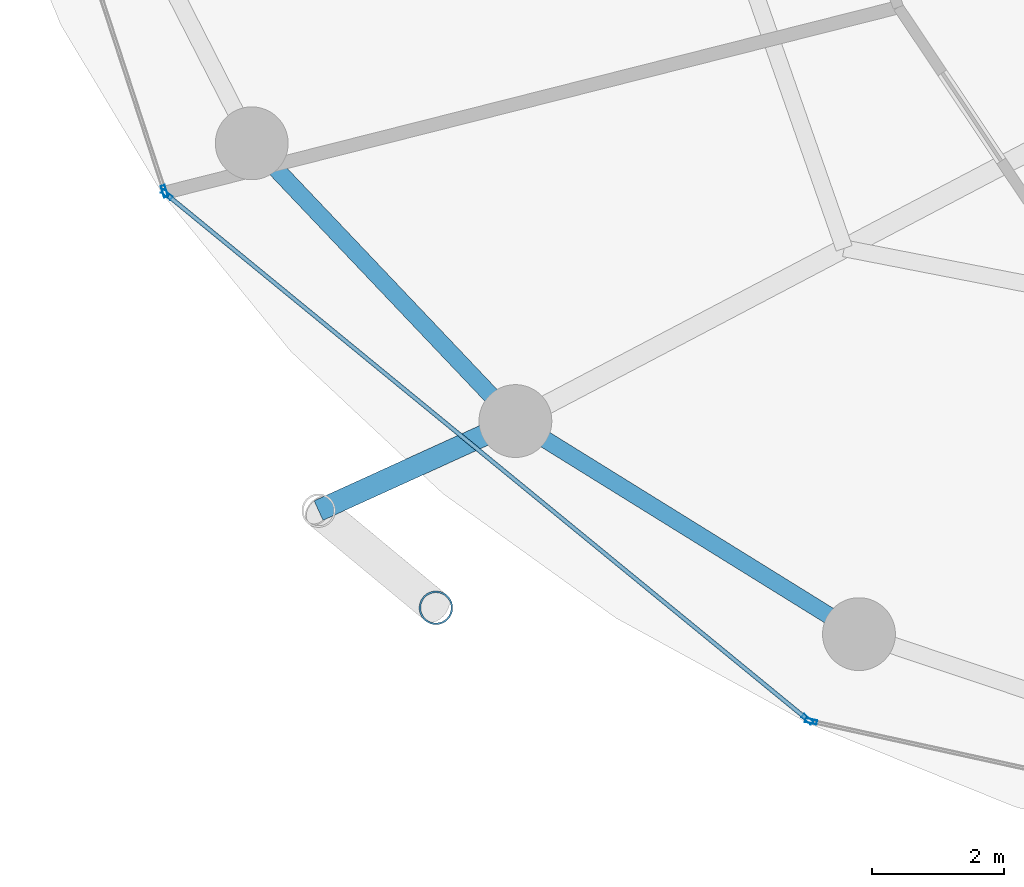
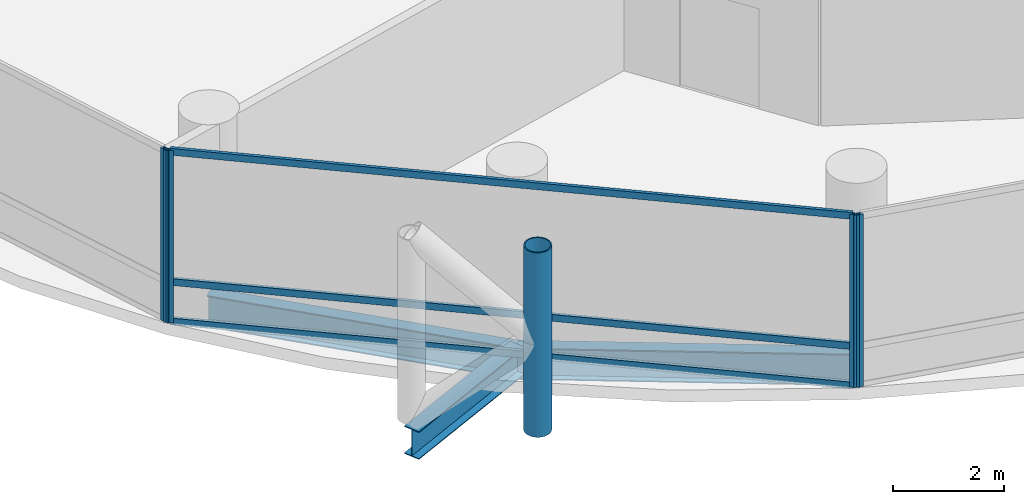
# One storey, part 2 of 24: 8 members, 3 beams, 3 elements without a shape of their own.
"""IFC4 building model written with IfcOpenShell, lengths in metres."""

import ifcopenshell
import ifcopenshell.guid

model = None  # the IFC model being written
_history = None  # IfcOwnerHistory: only IFC2X3 demands one
_inside = {}  # id of a spatial element -> (the spatial element, [elements in it])
_under = {}  # id of a project, library or spatial element -> (it, [spatial elements below it])
_declared = {}  # id of a project -> (the project, [libraries it declares])
_typed = {}  # id of a type object -> (the type object, [elements of that type])
_made_of = {}  # id of a material, layer set ... -> (it, [elements and type objects made of it])


def new_model(schema):
    """Start an empty IFC model of exactly this schema.

    Asked for "IFC4X3", IfcOpenShell would pick the latest addendum, in which some entities
    have other attributes; the version numbers below select the first issue.
    IFC2X3 requires an IfcOwnerHistory on every rooted entity: one is made here for all.
    """
    global model, _history
    if schema == "IFC4X3":
        model = ifcopenshell.file(schema_version=(4, 3, 0, 0))
    else:
        model = ifcopenshell.file(schema=schema)
    _inside.clear()
    _under.clear()
    _declared.clear()
    _typed.clear()
    _made_of.clear()
    _history = None
    if model.schema == "IFC2X3":
        org = make("IfcOrganization", Name="unknown")
        user = make(
            "IfcPersonAndOrganization",
            ThePerson=make("IfcPerson", FamilyName="unknown"),
            TheOrganization=org,
        )
        app = make(
            "IfcApplication",
            ApplicationDeveloper=org,
            Version="unknown",
            ApplicationFullName="unknown",
            ApplicationIdentifier="unknown",
        )
        _history = make(
            "IfcOwnerHistory",
            OwningUser=user,
            OwningApplication=app,
            ChangeAction="ADDED",
            CreationDate=0,
        )
    return model


def make(cls, **values):
    """One entity of the class cls with the attributes given. An attribute that is None is left unset."""
    return model.create_entity(
        cls, **{name: value for name, value in values.items() if value is not None}
    )


def rooted(cls, **values):
    """An entity with a GlobalId (a new one), such as an element, a storey or a relation."""
    return make(cls, GlobalId=ifcopenshell.guid.new(), OwnerHistory=_history, **values)


def si_unit(unit_type, name, prefix=None):
    """IfcSIUnit, for example si_unit("LENGTHUNIT", "METRE", prefix="MILLI")."""
    return make("IfcSIUnit", UnitType=unit_type, Prefix=prefix, Name=name)


def assignment(units):
    """IfcUnitAssignment: the units of a project."""
    return None if units is None else make("IfcUnitAssignment", Units=units)


def point(xyz):
    """IfcCartesianPoint."""
    return None if xyz is None else make("IfcCartesianPoint", Coordinates=xyz)


def direction(xyz):
    """IfcDirection."""
    return None if xyz is None else make("IfcDirection", DirectionRatios=xyz)


def frame(location, z_axis=None, x_axis=None):
    """IfcAxis2Placement3D, a coordinate frame: its origin and axes. An axis left out is left unset."""
    return make(
        "IfcAxis2Placement3D",
        Location=point(location),
        Axis=direction(z_axis),
        RefDirection=direction(x_axis),
    )


def frame_2d(location, x_axis=None):
    """IfcAxis2Placement2D, a coordinate frame in the plane: its origin and x axis."""
    return make(
        "IfcAxis2Placement2D", Location=point(location), RefDirection=direction(x_axis)
    )


def origin():
    """The frame at (0, 0, 0) with its axes left unset."""
    return frame((0.0, 0.0, 0.0))


def origin_2d():
    """The frame at (0, 0) in the plane with its x axis left unset."""
    return frame_2d((0.0, 0.0))


def place(relative_to, where):
    """IfcLocalPlacement: puts the frame where relative to a parent placement (None: the world)."""
    return make(
        "IfcLocalPlacement", PlacementRelTo=relative_to, RelativePlacement=where
    )


def context(
    kind, dimensions, precision=None, world=None, true_north=None, identifier=None
):
    """IfcGeometricRepresentationContext, for example the 3D "Model" context."""
    return make(
        "IfcGeometricRepresentationContext",
        ContextIdentifier=identifier,
        ContextType=kind,
        CoordinateSpaceDimension=dimensions,
        Precision=precision,
        WorldCoordinateSystem=world,
        TrueNorth=true_north,
    )


def subcontext(parent, identifier, kind, view, scale=None):
    """IfcGeometricRepresentationSubContext, for example "Body" below "Model"."""
    return make(
        "IfcGeometricRepresentationSubContext",
        ContextIdentifier=identifier,
        ContextType=kind,
        ParentContext=parent,
        TargetScale=scale,
        TargetView=view,
    )


def project(units=None, contexts=None):
    """IfcProject with its units and contexts."""
    return rooted(
        "IfcProject",
        Name="project",
        RepresentationContexts=contexts,
        UnitsInContext=assignment(units),
    )


def spatial(cls, under=None, at=None, **own):
    """A site, building, storey or space (cls), placed at a placement, below another one or the project."""
    s = rooted(cls, ObjectPlacement=at, **own)
    if under is not None:
        _under.setdefault(under.id(), (under, []))[1].append(s)
    return s


def profile(cls, at=None, kind="AREA", **sizes):
    """A parametric profile (cls). Its sizes go by their IFC names, for example OverallWidth=200.0."""
    return make(cls, ProfileType=kind, Position=at, **sizes)


def hollow_rectangle(**sizes):
    """IfcRectangleHollowProfileDef."""
    return profile("IfcRectangleHollowProfileDef", **sizes)


def hollow_circle(**sizes):
    """IfcCircleHollowProfileDef."""
    return profile("IfcCircleHollowProfileDef", **sizes)


def i_section(**sizes):
    """IfcIShapeProfileDef."""
    return profile("IfcIShapeProfileDef", **sizes)


def extrude(swept, where, along, depth):
    """IfcExtrudedAreaSolid: the profile swept, set in the frame where, extruded along a direction by depth."""
    return make(
        "IfcExtrudedAreaSolid",
        SweptArea=swept,
        Position=where,
        ExtrudedDirection=direction(along),
        Depth=depth,
    )


def shape(context_of_items, identifier, shape_type, items):
    """IfcShapeRepresentation: the items that make up one representation, for example the "Body"."""
    return make(
        "IfcShapeRepresentation",
        ContextOfItems=context_of_items,
        RepresentationIdentifier=identifier,
        RepresentationType=shape_type,
        Items=items,
    )


def material(Name=None, Category=None):
    """IfcMaterial."""
    return make("IfcMaterial", Name=Name, Category=Category)


def layer(
    of_material, thickness, ventilated=None, Name=None, Category=None, Priority=None
):
    """IfcMaterialLayer: one layer of a wall or slab, of a material (None: an air gap)."""
    return make(
        "IfcMaterialLayer",
        Material=of_material,
        LayerThickness=thickness,
        IsVentilated=ventilated,
        Name=Name,
        Category=Category,
        Priority=Priority,
    )


def layer_set(layers, Name=None):
    """IfcMaterialLayerSet."""
    return make("IfcMaterialLayerSet", MaterialLayers=layers, LayerSetName=Name)


def material_profile(
    of_material, cross_section, Name=None, Category=None, Priority=None
):
    """IfcMaterialProfile: a cross section and its material."""
    return make(
        "IfcMaterialProfile",
        Name=Name,
        Material=of_material,
        Profile=cross_section,
        Priority=Priority,
        Category=Category,
    )


def profile_set(profiles, Name=None, composite=None):
    """IfcMaterialProfileSet."""
    return make(
        "IfcMaterialProfileSet",
        Name=Name,
        MaterialProfiles=profiles,
        CompositeProfile=composite,
    )


def made_of(thing, what):
    """Note that an element or type object is made of a material, layer set ...; save() writes the relation."""
    if what is not None:
        _made_of.setdefault(what.id(), (what, []))[1].append(thing)
    return thing


def type_object(cls, material=None, **own):
    """A type object (cls), such as IfcWallType, which elements share."""
    return made_of(rooted(cls, **own), material)


def element(
    cls,
    number,
    at=None,
    inside=None,
    cuts=None,
    type_object=None,
    material=None,
    context=None,
    identifier="Body",
    shape_type=None,
    held_by="IfcProductDefinitionShape",
    body=None,
    shapes=None,
    **own,
):
    """One element of the class cls, such as IfcWall. Its Tag is "e" and its number.

    at: its placement. inside: the storey or other place that contains it. cuts: it is an
    opening in that element (IfcRelVoidsElement). A single representation is given by context,
    identifier, shape_type and body (its items); several are given by shapes. held_by: the class
    of the entity that holds the representations. save() writes the other relations.
    """
    e = rooted(cls, Tag="e%d" % number, ObjectPlacement=at, **own)
    if body is not None:
        shapes = [shape(context, identifier, shape_type, body)]
    if shapes is not None:
        e.Representation = make(held_by, Representations=shapes)
    if inside is not None:
        _inside.setdefault(inside.id(), (inside, []))[1].append(e)
    if cuts is not None:
        rooted(
            "IfcRelVoidsElement", RelatingBuildingElement=cuts, RelatedOpeningElement=e
        )
    if type_object is not None:
        _typed.setdefault(type_object.id(), (type_object, []))[1].append(e)
    return made_of(e, material)


def aggregate(whole, parts):
    """IfcRelAggregates: a whole, such as a stair, and the parts it consists of."""
    return rooted("IfcRelAggregates", RelatingObject=whole, RelatedObjects=parts)


def save(model, path):
    """Write the relations noted so far, then the file.

    IfcRelAggregates (storeys below a building ...), IfcRelContainedInSpatialStructure (elements
    in a storey), IfcRelDefinesByType, IfcRelAssociatesMaterial and IfcRelDeclares: one each for
    every whole, place, type object, material and project.
    """
    for whole, parts in _under.values():
        aggregate(whole, parts)
    for where, things in _inside.values():
        rooted(
            "IfcRelContainedInSpatialStructure",
            RelatedElements=things,
            RelatingStructure=where,
        )
    for kind, things in _typed.values():
        rooted("IfcRelDefinesByType", RelatedObjects=things, RelatingType=kind)
    for what, things in _made_of.values():
        rooted("IfcRelAssociatesMaterial", RelatedObjects=things, RelatingMaterial=what)
    for by, libraries in _declared.values():
        rooted("IfcRelDeclares", RelatingContext=by, RelatedDefinitions=libraries)
    model.write(path)


model = new_model("IFC4")

# Units and contexts
model_context = context("Model", 3, precision=1e-05, world=origin(), true_north=direction((0.0, 1.0)))
body_context = subcontext(model_context, "Body", "Model", "MODEL_VIEW")
ifc_project = project(units=[si_unit("LENGTHUNIT", "METRE"), si_unit("AREAUNIT", "SQUARE_METRE"), si_unit("VOLUMEUNIT", "CUBIC_METRE"), si_unit("PLANEANGLEUNIT", "RADIAN"), si_unit("MASSUNIT", "GRAM", prefix="KILO")], contexts=[model_context])

# Site, building, storey
site_placement = place(None, origin())
site = spatial("IfcSite", under=ifc_project, at=site_placement, CompositionType="ELEMENT")
building_placement = place(site_placement, origin())
building = spatial("IfcBuilding", under=site, at=building_placement, Name="Nuhasar Tower", CompositionType="ELEMENT")
storey_placement = place(building_placement, frame((0.0, 0.0, 29.10009765625)))
storey = spatial("IfcBuildingStorey", under=building, at=storey_placement, Name="L06", CompositionType="ELEMENT", Elevation=29.10009765625)

# Beams
ifc_material_1 = material(Name="Steel S355", Category="steel")
ifc_material_profile_1 = material_profile(ifc_material_1, i_section(OverallWidth=0.256103515625, OverallDepth=0.693115234375, WebThickness=0.014404296875, FlangeThickness=0.023681640625, at=origin_2d()), Name="W27X114")
ifc_profile_set_1 = profile_set([ifc_material_profile_1], Name="Steel S355")
beam_type_1 = type_object("IfcBeamType", Name="BM-RING-W27X114", PredefinedType="SPANDREL", material=ifc_profile_set_1)
beam_1_placement = place(storey_placement, frame((17.305908203125, 16.675048828125, -0.606201171875), z_axis=(0.688459812429, -0.725274490569, 0.0), x_axis=(0.725274490569, 0.688459812429, 0.0)))
element("IfcBeam", 1, at=beam_1_placement, inside=storey, type_object=beam_type_1, Name="L06 Perimeter Ring Spandrel 15", PredefinedType="SPANDREL", context=body_context, shape_type="SweptSolid", body=[
    extrude(i_section(OverallWidth=0.256103515625, OverallDepth=0.693115234375, WebThickness=0.014404296875, FlangeThickness=0.023681640625, at=origin_2d()), origin(), (0.0, 0.0, 1.0), 5.78271484375),
])
beam_2_placement = place(storey_placement, frame((21.287109375, 12.48095703125, -0.606201171875), z_axis=(0.849795216549, -0.527112976439, 0.0), x_axis=(0.527112976439, 0.849795216549, 0.0)))
element("IfcBeam", 2, at=beam_2_placement, inside=storey, type_object=beam_type_1, Name="L06 Perimeter Ring Spandrel 16", PredefinedType="SPANDREL", context=body_context, shape_type="SweptSolid", body=[
    extrude(i_section(OverallWidth=0.256103515625, OverallDepth=0.693115234375, WebThickness=0.014404296875, FlangeThickness=0.023681640625, at=origin_2d()), origin(), (0.0, 0.0, 1.0), 6.10498046875),
])
ifc_material_profile_2 = material_profile(ifc_material_1, i_section(OverallWidth=0.323974609375, OverallDepth=0.611083984375, WebThickness=0.0126953125, FlangeThickness=0.01904296875, at=origin_2d()), Name="W24X104")
ifc_profile_set_2 = profile_set([ifc_material_profile_2], Name="Steel S355")
beam_type_2 = type_object("IfcBeamType", Name="BM-TIE-W24X104", PredefinedType="BEAM", material=ifc_profile_set_2)
beam_3_placement = place(storey_placement, frame((21.287109375, 12.48095703125, -0.565185546875), z_axis=(-0.910243528587, -0.414073325227, 0.0), x_axis=(0.414073325227, -0.910243528587, 0.0)))
element("IfcBeam", 3, at=beam_3_placement, inside=storey, type_object=beam_type_2, Name="L06 Exoskeleton Node Tie Beam 08", PredefinedType="BEAM", context=body_context, shape_type="SweptSolid", body=[
    extrude(i_section(OverallWidth=0.323974609375, OverallDepth=0.611083984375, WebThickness=0.0126953125, FlangeThickness=0.01904296875, at=origin_2d()), origin(), (0.0, 0.0, 1.0), 3.26513671875),
])

# Curtain wall, member
ifc_material_2 = material(Name="Aluminium 6063-T6", Category="aluminium")
ifc_layer = layer(ifc_material_2, 0.199951171875)
ifc_layer_set = layer_set([ifc_layer], Name="Aluminium 6063-T6")
curtain_wall_type = type_object("IfcCurtainWallType", Name="CW-Z1-OFF", PredefinedType="NOTDEFINED", material=ifc_layer_set)
curtain_wall_1_placement = place(storey_placement, origin())
curtain_wall_1 = element("IfcCurtainWall", 4, at=curtain_wall_1_placement, inside=storey, type_object=curtain_wall_type, Name="L06 Unitised Curtain Wall 07", PredefinedType="NOTDEFINED")
ifc_material_profile_3 = material_profile(ifc_material_2, hollow_rectangle(XDim=0.06494140625, YDim=0.179931640625, WallThickness=0.0048828125, at=origin_2d()), Name="CWM-2")
ifc_profile_set_3 = profile_set([ifc_material_profile_3], Name="Aluminium 6063-T6")
member_type_1 = type_object("IfcMemberType", Name="CW-MUL-S2", PredefinedType="MULLION", material=ifc_profile_set_3)
member_1_placement = place(storey_placement, frame((15.98779296875, 15.950927734375, 0.0), z_axis=(0.0, 0.0, 1.0), x_axis=(0.950467534571, 0.310823849997, 0.0)))
member_1 = element("IfcMember", 5, at=member_1_placement, type_object=member_type_1, Name="CW-Z1 mullion 2", PredefinedType="MULLION", context=body_context, shape_type="SweptSolid", body=[
    extrude(hollow_rectangle(XDim=0.06494140625, YDim=0.179931640625, WallThickness=0.0048828125, at=origin_2d()), origin(), (0.0, 0.0, 1.0), 3.789794921875),
])
aggregate(curtain_wall_1, [member_1])

# Curtain wall, members
curtain_wall_2_placement = place(storey_placement, origin())
curtain_wall_2 = element("IfcCurtainWall", 6, at=curtain_wall_2_placement, inside=storey, type_object=curtain_wall_type, Name="L06 Unitised Curtain Wall 08", PredefinedType="NOTDEFINED")
member_2_placement = place(storey_placement, frame((16.023193359375, 15.8994140625, 0.0), z_axis=(0.0, 0.0, 1.0), x_axis=(0.633744593376, 0.773542364946, 0.0)))
member_2 = element("IfcMember", 7, at=member_2_placement, type_object=member_type_1, Name="CW-Z1 mullion 1", PredefinedType="MULLION", context=body_context, shape_type="SweptSolid", body=[
    extrude(hollow_rectangle(XDim=0.06494140625, YDim=0.179931640625, WallThickness=0.0048828125, at=origin_2d()), origin(), (0.0, 0.0, 1.0), 3.789794921875),
])
member_3_placement = place(storey_placement, frame((25.69482421875, 7.9755859375, 0.0), z_axis=(0.0, 0.0, 1.0), x_axis=(0.633744593376, 0.773542364946, 0.0)))
member_3 = element("IfcMember", 8, at=member_3_placement, type_object=member_type_1, Name="CW-Z1 mullion 2", PredefinedType="MULLION", context=body_context, shape_type="SweptSolid", body=[
    extrude(hollow_rectangle(XDim=0.06494140625, YDim=0.179931640625, WallThickness=0.0048828125, at=origin_2d()), origin(), (0.0, 0.0, 1.0), 3.789794921875),
])

# Curtain wall, member
curtain_wall_3_placement = place(storey_placement, origin())
curtain_wall_3 = element("IfcCurtainWall", 9, at=curtain_wall_3_placement, inside=storey, type_object=curtain_wall_type, Name="L06 Unitised Curtain Wall 09", PredefinedType="NOTDEFINED")
member_4_placement = place(storey_placement, frame((25.751708984375, 7.947998046875, 0.0), z_axis=(0.0, 0.0, 1.0), x_axis=(0.214398737637, 0.976746221544, 0.0)))
member_4 = element("IfcMember", 10, at=member_4_placement, type_object=member_type_1, Name="CW-Z1 mullion 1", PredefinedType="MULLION", context=body_context, shape_type="SweptSolid", body=[
    extrude(hollow_rectangle(XDim=0.06494140625, YDim=0.179931640625, WallThickness=0.0048828125, at=origin_2d()), origin(), (0.0, 0.0, 1.0), 3.789794921875),
])
aggregate(curtain_wall_3, [member_4])

# Member
ifc_material_profile_4 = material_profile(ifc_material_2, hollow_rectangle(XDim=0.06494140625, YDim=0.14990234375, WallThickness=0.00439453125, at=origin_2d()), Name="CWT-2")
ifc_profile_set_4 = profile_set([ifc_material_profile_4], Name="Aluminium 6063-T6")
member_type_2 = type_object("IfcMemberType", Name="CW-TRN-S2", PredefinedType="USERDEFINED", material=ifc_profile_set_4)
member_5_placement = place(storey_placement, frame((16.04833984375, 15.87890625, 0.032470703125), z_axis=(0.773531229158, -0.633758185365, 0.0), x_axis=(0.633758185365, 0.773531229158, 0.0)))
member_5 = element("IfcMember", 11, at=member_5_placement, type_object=member_type_2, Name="CW-Z1 transom 1.1", ObjectType="TRANSOM", PredefinedType="USERDEFINED", context=body_context, shape_type="SweptSolid", body=[
    extrude(hollow_rectangle(XDim=0.06494140625, YDim=0.14990234375, WallThickness=0.00439453125, at=origin_2d()), origin(), (0.0, 0.0, 1.0), 12.438232421875),
])

member_6_placement = place(storey_placement, frame((16.04833984375, 15.87890625, 0.89990234375), z_axis=(0.773531229158, -0.633758185365, 0.0), x_axis=(0.633758185365, 0.773531229158, 0.0)))
member_6 = element("IfcMember", 12, at=member_6_placement, type_object=member_type_2, Name="CW-Z1 transom 1.2", ObjectType="TRANSOM", PredefinedType="USERDEFINED", context=body_context, shape_type="SweptSolid", body=[
    extrude(hollow_rectangle(XDim=0.06494140625, YDim=0.14990234375, WallThickness=0.00439453125, at=origin_2d()), origin(), (0.0, 0.0, 1.0), 12.438232421875),
])

member_7_placement = place(storey_placement, frame((16.04833984375, 15.87890625, 3.75732421875), z_axis=(0.773531229158, -0.633758185365, 0.0), x_axis=(0.633758185365, 0.773531229158, 0.0)))
member_7 = element("IfcMember", 13, at=member_7_placement, type_object=member_type_2, Name="CW-Z1 transom 1.3", ObjectType="TRANSOM", PredefinedType="USERDEFINED", context=body_context, shape_type="SweptSolid", body=[
    extrude(hollow_rectangle(XDim=0.06494140625, YDim=0.14990234375, WallThickness=0.00439453125, at=origin_2d()), origin(), (0.0, 0.0, 1.0), 12.438232421875),
])

aggregate(curtain_wall_2, [member_2, member_3, member_5, member_6, member_7])

ifc_material_3 = material(Name="Steel S460", Category="steel")
ifc_material_profile_5 = material_profile(ifc_material_3, hollow_circle(Radius=0.25390625, WallThickness=0.025390625, at=origin_2d()), Name="HSS508X25.4")
ifc_profile_set_5 = profile_set([ifc_material_profile_5], Name="Steel S460")
member_type_3 = type_object("IfcMemberType", Name="EXO-BRONZE-508", PredefinedType="BRACE", material=ifc_profile_set_5)
member_8_placement = place(storey_placement, frame((20.0869140625, 9.660888671875, 0.0), z_axis=(0.0, 0.0, 1.0), x_axis=(1.0, 0.0, 0.0)))
element("IfcMember", 14, at=member_8_placement, inside=storey, type_object=member_type_3, Name="L06 Exoskeleton Chord Column EC-08B", PredefinedType="BRACE", context=body_context, shape_type="SweptSolid", body=[
    extrude(hollow_circle(Radius=0.25390625, WallThickness=0.025390625, at=origin_2d()), origin(), (0.0, 0.0, 1.0), 4.0498046875),
])

save(model, "model.ifc")
